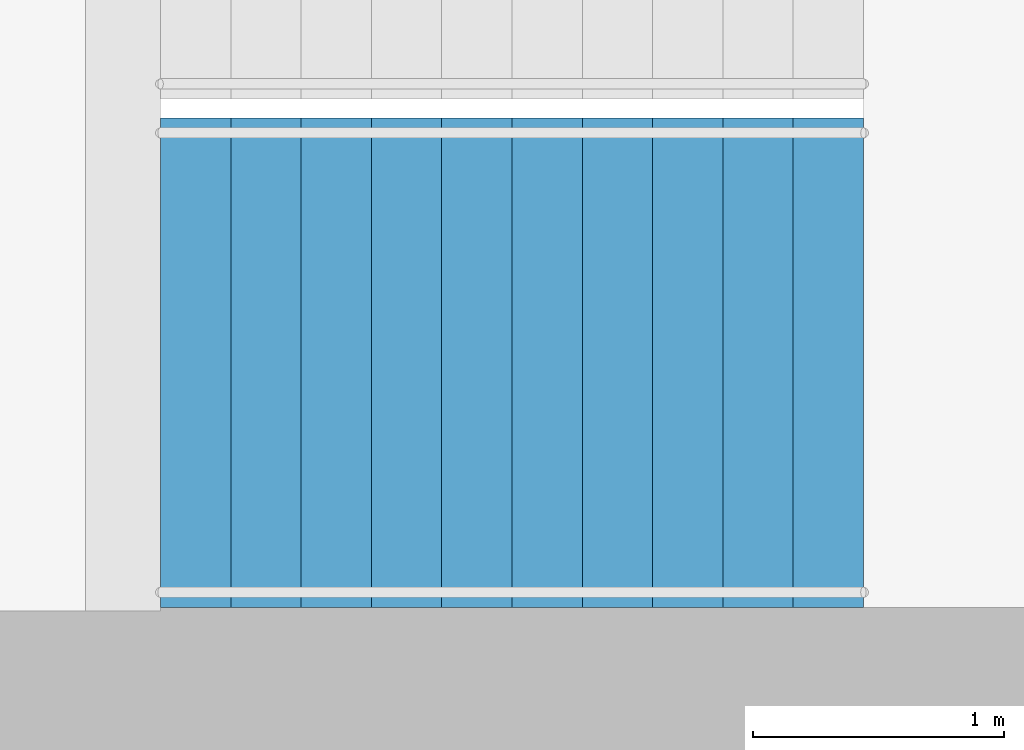
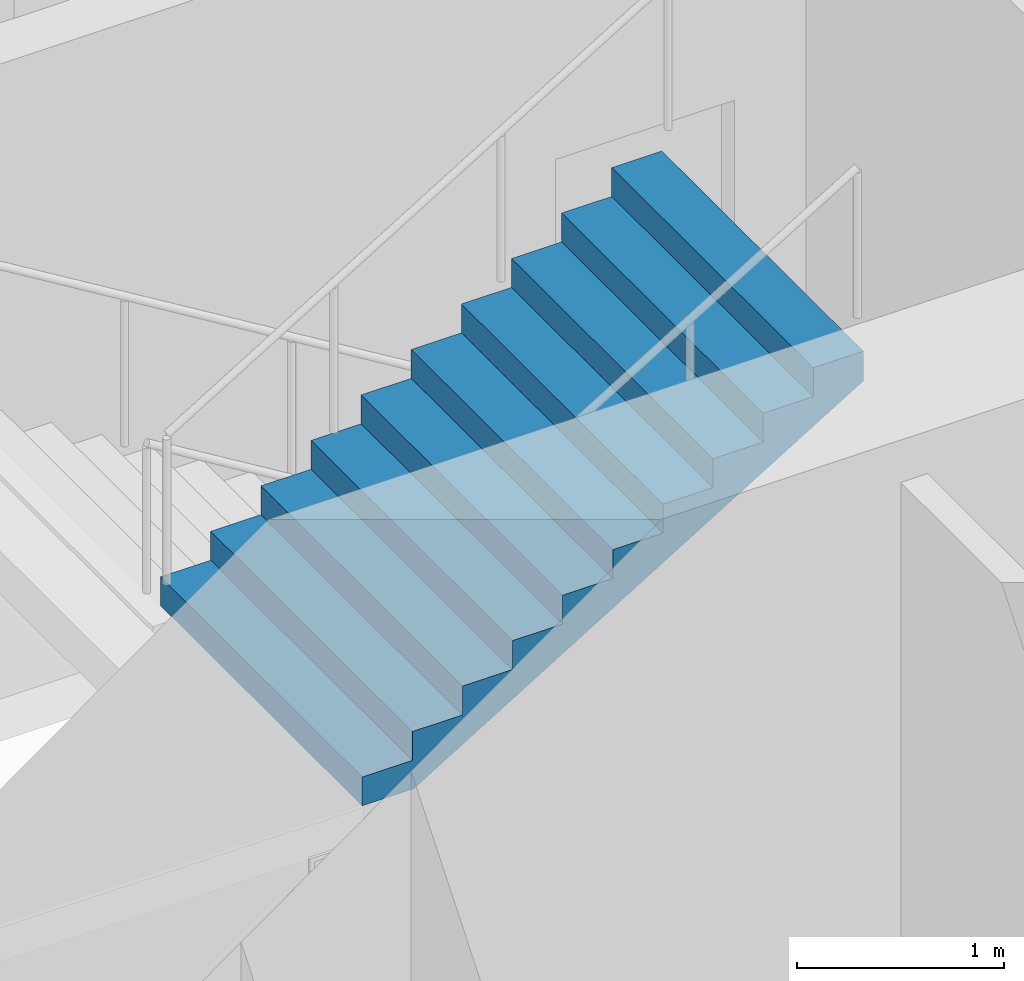
# One storey, part 20 of 22: 1 stair flight, 1 element without a shape of its own.
"""IFC4 building model written with IfcOpenShell, lengths in metres."""

from ifc_helpers import new_model, si_unit, direction, frame, origin, place, context, subcontext, project, spatial, triangles, material, type_object, element, aggregate, save


model = new_model("IFC4")

# Units and contexts
model_context = context("Model", 3, precision=1e-05, world=origin(), true_north=direction((0.0, 1.0)))
body_context = subcontext(model_context, "Body", "Model", "MODEL_VIEW")
ifc_project = project(units=[si_unit("LENGTHUNIT", "METRE"), si_unit("AREAUNIT", "SQUARE_METRE"), si_unit("VOLUMEUNIT", "CUBIC_METRE"), si_unit("PLANEANGLEUNIT", "RADIAN"), si_unit("MASSUNIT", "GRAM", prefix="KILO")], contexts=[model_context])

# Site, building, storey
site_placement = place(None, origin())
site = spatial("IfcSite", under=ifc_project, at=site_placement, CompositionType="ELEMENT")
building_placement = place(site_placement, origin())
building = spatial("IfcBuilding", under=site, at=building_placement, Name="Orbita Commons", CompositionType="ELEMENT")
storey_placement = place(building_placement, frame((0.0, 0.0, 121.89990234375)))
storey = spatial("IfcBuildingStorey", under=building, at=storey_placement, Name="L30", CompositionType="ELEMENT", Elevation=121.89990234375)

# Stair, stair flight
ifc_material_1 = material(Name="Precast concrete C40/50", Category="concrete")
stair_type = type_object("IfcStairType", Name="Exit stair S2 2 flights 11 risers 170", PredefinedType="HALF_TURN_STAIR", material=ifc_material_1)
stair_placement = place(storey_placement, origin())
stair = element("IfcStair", 1, at=stair_placement, inside=storey, type_object=stair_type, Name="Exit stair S2 L30", PredefinedType="HALF_TURN_STAIR")
ifc_material_2 = material(Name="Precast concrete C40/50", Category="concrete")
stair_flight_type = type_object("IfcStairFlightType", Name="Stair flight 11 risers 170 x 280", PredefinedType="STRAIGHT", material=ifc_material_2)
stair_flight_placement = place(storey_placement, frame((60.75, 27.25, 1.875), z_axis=(0.0, 0.0, 1.0), x_axis=(1.0, 0.0, 0.0)))
stair_flight = element("IfcStairFlight", 2, at=stair_flight_placement, type_object=stair_flight_type, Name="S2 flight 2", NumberOfRisers=11, NumberOfTreads=10, PredefinedType="STRAIGHT", RiserHeight=0.170454545, TreadLength=0.28, context=body_context, shape_type="Tessellation", body=[
    triangles([(0.0, 0.974976, 0.0), (0.0, 0.974976, 0.021307), (0.0, 0.81248, 0.021307), (0.0, 0.81248, 0.0), (0.0, 0.649984, 0.021307), (0.0, 0.649984, 0.0), (0.0, 0.487488, 0.021307), (0.0, 0.487488, 0.0), (0.0, 0.324992, 0.021307), (0.0, 0.324992, 0.0), (0.0, 0.162496, 0.021307), (0.0, 0.162496, 0.0), (0.0, 0.0, 0.021307), (0.0, 0.0, 0.0), (0.0, -0.162496, 0.021307), (0.0, -0.162496, 0.0), (0.0, -0.324992, 0.021307), (0.0, -0.324992, 0.0), (0.0, -0.487488, 0.021307), (0.0, -0.487488, 0.0), (0.0, -0.649984, 0.021307), (0.0, -0.649984, 0.0), (0.0, -0.81248, 0.021307), (0.0, -0.81248, 0.0), (0.0, -0.974976, 0.021307), (0.0, -0.974976, 0.0), (0.0, 0.974976, 0.042614), (0.0, 0.81248, 0.042614), (0.0, 0.649984, 0.042614), (0.0, 0.487488, 0.042614), (0.0, 0.324992, 0.042614), (0.0, 0.162496, 0.042614), (0.0, 0.0, 0.042614), (0.0, -0.162496, 0.042614), (0.0, -0.324992, 0.042614), (0.0, -0.487488, 0.042614), (0.0, -0.649984, 0.042614), (0.0, -0.81248, 0.042614), (0.0, -0.974976, 0.042614), (0.0, 0.974976, 0.06392), (0.0, 0.81248, 0.06392), (0.0, 0.649984, 0.06392), (0.0, 0.487488, 0.06392), (0.0, 0.324992, 0.06392), (0.0, 0.162496, 0.06392), (0.0, 0.0, 0.06392), (0.0, -0.162496, 0.06392), (0.0, -0.324992, 0.06392), (0.0, -0.487488, 0.06392), (0.0, -0.649984, 0.06392), (0.0, -0.81248, 0.06392), (0.0, -0.974976, 0.06392), (0.0, 0.974976, 0.085227), (0.0, 0.81248, 0.085227), (0.0, 0.649984, 0.085227), (0.0, 0.487488, 0.085227), (0.0, 0.324992, 0.085227), (0.0, 0.162496, 0.085227), (0.0, 0.0, 0.085227), (0.0, -0.162496, 0.085227), (0.0, -0.324992, 0.085227), (0.0, -0.487488, 0.085227), (0.0, -0.649984, 0.085227), (0.0, -0.81248, 0.085227), (0.0, -0.974976, 0.085227), (0.0, 0.974976, 0.106534), (0.0, 0.81248, 0.106534), (0.0, 0.649984, 0.106534), (0.0, 0.487488, 0.106534), (0.0, 0.324992, 0.106534), (0.0, 0.162496, 0.106534), (0.0, 0.0, 0.106534), (0.0, -0.162496, 0.106534), (0.0, -0.324992, 0.106534), (0.0, -0.487488, 0.106534), (0.0, -0.649984, 0.106534), (0.0, -0.81248, 0.106534), (0.0, -0.974976, 0.106534), (0.0, 0.974976, 0.127841), (0.0, 0.81248, 0.127841), (0.0, 0.649984, 0.127841), (0.0, 0.487488, 0.127841), (0.0, 0.324992, 0.127841), (0.0, 0.162496, 0.127841), (0.0, 0.0, 0.127841), (0.0, -0.162496, 0.127841), (0.0, -0.324992, 0.127841), (0.0, -0.487488, 0.127841), (0.0, -0.649984, 0.127841), (0.0, -0.81248, 0.127841), (0.0, -0.974976, 0.127841), (0.0, 0.974976, 0.149148), (0.0, 0.81248, 0.149148), (0.0, 0.649984, 0.149148), (0.0, 0.487488, 0.149148), (0.0, 0.324992, 0.149148), (0.0, 0.162496, 0.149148), (0.0, 0.0, 0.149148), (0.0, -0.162496, 0.149148), (0.0, -0.324992, 0.149148), (0.0, -0.487488, 0.149148), (0.0, -0.649984, 0.149148), (0.0, -0.81248, 0.149148), (0.0, -0.974976, 0.149148), (0.0, 0.974976, 0.170455), (0.0, 0.81248, 0.170455), (0.0, 0.649984, 0.170455), (0.0, 0.487488, 0.170455), (0.0, 0.324992, 0.170455), (0.0, 0.162496, 0.170455), (0.0, 0.0, 0.170455), (0.0, -0.162496, 0.170455), (0.0, -0.324992, 0.170455), (0.0, -0.487488, 0.170455), (0.0, -0.649984, 0.170455), (0.0, -0.81248, 0.170455), (0.0, -0.974976, 0.170455), (0.28, 0.974976, 0.170455), (0.28, 0.81248, 0.170455), (0.28, 0.649984, 0.170455), (0.28, 0.487488, 0.170455), (0.28, 0.324992, 0.170455), (0.28, 0.162496, 0.170455), (0.28, 0.0, 0.170455), (0.28, -0.162496, 0.170455), (0.28, -0.324992, 0.170455), (0.28, -0.487488, 0.170455), (0.28, -0.649984, 0.170455), (0.28, -0.81248, 0.170455), (0.28, -0.974976, 0.170455), (0.28, 0.974976, 0.340909), (0.28, 0.81248, 0.340909), (0.28, 0.649984, 0.340909), (0.28, 0.487488, 0.340909), (0.28, 0.324992, 0.340909), (0.28, 0.162496, 0.340909), (0.28, 0.0, 0.340909), (0.28, -0.162496, 0.340909), (0.28, -0.324992, 0.340909), (0.28, -0.487488, 0.340909), (0.28, -0.649984, 0.340909), (0.28, -0.81248, 0.340909), (0.28, -0.974976, 0.340909), (0.56, 0.974976, 0.340909), (0.56, 0.81248, 0.340909), (0.56, 0.649984, 0.340909), (0.56, 0.487488, 0.340909), (0.56, 0.324992, 0.340909), (0.56, 0.162496, 0.340909), (0.56, 0.0, 0.340909), (0.56, -0.162496, 0.340909), (0.56, -0.324992, 0.340909), (0.56, -0.487488, 0.340909), (0.56, -0.649984, 0.340909), (0.56, -0.81248, 0.340909), (0.56, -0.974976, 0.340909), (0.56, 0.974976, 0.511364), (0.56, 0.81248, 0.511364), (0.56, 0.649984, 0.511364), (0.56, 0.487488, 0.511364), (0.56, 0.324992, 0.511364), (0.56, 0.162496, 0.511364), (0.56, 0.0, 0.511364), (0.56, -0.162496, 0.511364), (0.56, -0.324992, 0.511364), (0.56, -0.487488, 0.511364), (0.56, -0.649984, 0.511364), (0.56, -0.81248, 0.511364), (0.56, -0.974976, 0.511364), (0.84, 0.974976, 0.511364), (0.84, 0.81248, 0.511364), (0.84, 0.649984, 0.511364), (0.84, 0.487488, 0.511364), (0.84, 0.324992, 0.511364), (0.84, 0.162496, 0.511364), (0.84, 0.0, 0.511364), (0.84, -0.162496, 0.511364), (0.84, -0.324992, 0.511364), (0.84, -0.487488, 0.511364), (0.84, -0.649984, 0.511364), (0.84, -0.81248, 0.511364), (0.84, -0.974976, 0.511364), (0.84, 0.974976, 0.681818), (0.84, 0.81248, 0.681818), (0.84, 0.649984, 0.681818), (0.84, 0.487488, 0.681818), (0.84, 0.324992, 0.681818), (0.84, 0.162496, 0.681818), (0.84, 0.0, 0.681818), (0.84, -0.162496, 0.681818), (0.84, -0.324992, 0.681818), (0.84, -0.487488, 0.681818), (0.84, -0.649984, 0.681818), (0.84, -0.81248, 0.681818), (0.84, -0.974976, 0.681818), (1.12, 0.974976, 0.681818), (1.12, 0.81248, 0.681818), (1.12, 0.649984, 0.681818), (1.12, 0.487488, 0.681818), (1.12, 0.324992, 0.681818), (1.12, 0.162496, 0.681818), (1.12, 0.0, 0.681818), (1.12, -0.162496, 0.681818), (1.12, -0.324992, 0.681818), (1.12, -0.487488, 0.681818), (1.12, -0.649984, 0.681818), (1.12, -0.81248, 0.681818), (1.12, -0.974976, 0.681818), (1.12, 0.974976, 0.852273), (1.12, 0.81248, 0.852273), (1.12, 0.649984, 0.852273), (1.12, 0.487488, 0.852273), (1.12, 0.324992, 0.852273), (1.12, 0.162496, 0.852273), (1.12, 0.0, 0.852273), (1.12, -0.162496, 0.852273), (1.12, -0.324992, 0.852273), (1.12, -0.487488, 0.852273), (1.12, -0.649984, 0.852273), (1.12, -0.81248, 0.852273), (1.12, -0.974976, 0.852273), (1.4, 0.974976, 0.852273), (1.4, 0.81248, 0.852273), (1.4, 0.649984, 0.852273), (1.4, 0.487488, 0.852273), (1.4, 0.324992, 0.852273), (1.4, 0.162496, 0.852273), (1.4, 0.0, 0.852273), (1.4, -0.162496, 0.852273), (1.4, -0.324992, 0.852273), (1.4, -0.487488, 0.852273), (1.4, -0.649984, 0.852273), (1.4, -0.81248, 0.852273), (1.4, -0.974976, 0.852273), (1.4, 0.974976, 1.022727), (1.4, 0.81248, 1.022727), (1.4, 0.649984, 1.022727), (1.4, 0.487488, 1.022727), (1.4, 0.324992, 1.022727), (1.4, 0.162496, 1.022727), (1.4, 0.0, 1.022727), (1.4, -0.162496, 1.022727), (1.4, -0.324992, 1.022727), (1.4, -0.487488, 1.022727), (1.4, -0.649984, 1.022727), (1.4, -0.81248, 1.022727), (1.4, -0.974976, 1.022727), (1.68, 0.974976, 1.022727), (1.68, 0.81248, 1.022727), (1.68, 0.649984, 1.022727), (1.68, 0.487488, 1.022727), (1.68, 0.324992, 1.022727), (1.68, 0.162496, 1.022727), (1.68, 0.0, 1.022727), (1.68, -0.162496, 1.022727), (1.68, -0.324992, 1.022727), (1.68, -0.487488, 1.022727), (1.68, -0.649984, 1.022727), (1.68, -0.81248, 1.022727), (1.68, -0.974976, 1.022727), (1.68, 0.974976, 1.193182), (1.68, 0.81248, 1.193182), (1.68, 0.649984, 1.193182), (1.68, 0.487488, 1.193182), (1.68, 0.324992, 1.193182), (1.68, 0.162496, 1.193182), (1.68, 0.0, 1.193182), (1.68, -0.162496, 1.193182), (1.68, -0.324992, 1.193182), (1.68, -0.487488, 1.193182), (1.68, -0.649984, 1.193182), (1.68, -0.81248, 1.193182), (1.68, -0.974976, 1.193182), (1.96, 0.974976, 1.193182), (1.96, 0.81248, 1.193182), (1.96, 0.649984, 1.193182), (1.96, 0.487488, 1.193182), (1.96, 0.324992, 1.193182), (1.96, 0.162496, 1.193182), (1.96, 0.0, 1.193182), (1.96, -0.162496, 1.193182), (1.96, -0.324992, 1.193182), (1.96, -0.487488, 1.193182), (1.96, -0.649984, 1.193182), (1.96, -0.81248, 1.193182), (1.96, -0.974976, 1.193182), (1.96, 0.974976, 1.363636), (1.96, 0.81248, 1.363636), (1.96, 0.649984, 1.363636), (1.96, 0.487488, 1.363636), (1.96, 0.324992, 1.363636), (1.96, 0.162496, 1.363636), (1.96, 0.0, 1.363636), (1.96, -0.162496, 1.363636), (1.96, -0.324992, 1.363636), (1.96, -0.487488, 1.363636), (1.96, -0.649984, 1.363636), (1.96, -0.81248, 1.363636), (1.96, -0.974976, 1.363636), (2.24, 0.974976, 1.363636), (2.24, 0.81248, 1.363636), (2.24, 0.649984, 1.363636), (2.24, 0.487488, 1.363636), (2.24, 0.324992, 1.363636), (2.24, 0.162496, 1.363636), (2.24, 0.0, 1.363636), (2.24, -0.162496, 1.363636), (2.24, -0.324992, 1.363636), (2.24, -0.487488, 1.363636), (2.24, -0.649984, 1.363636), (2.24, -0.81248, 1.363636), (2.24, -0.974976, 1.363636), (2.24, 0.974976, 1.534091), (2.24, 0.81248, 1.534091), (2.24, 0.649984, 1.534091), (2.24, 0.487488, 1.534091), (2.24, 0.324992, 1.534091), (2.24, 0.162496, 1.534091), (2.24, 0.0, 1.534091), (2.24, -0.162496, 1.534091), (2.24, -0.324992, 1.534091), (2.24, -0.487488, 1.534091), (2.24, -0.649984, 1.534091), (2.24, -0.81248, 1.534091), (2.24, -0.974976, 1.534091), (2.52, 0.974976, 1.534091), (2.52, 0.81248, 1.534091), (2.52, 0.649984, 1.534091), (2.52, 0.487488, 1.534091), (2.52, 0.324992, 1.534091), (2.52, 0.162496, 1.534091), (2.52, 0.0, 1.534091), (2.52, -0.162496, 1.534091), (2.52, -0.324992, 1.534091), (2.52, -0.487488, 1.534091), (2.52, -0.649984, 1.534091), (2.52, -0.81248, 1.534091), (2.52, -0.974976, 1.534091), (2.52, 0.974976, 1.704545), (2.52, 0.81248, 1.704545), (2.52, 0.649984, 1.704545), (2.52, 0.487488, 1.704545), (2.52, 0.324992, 1.704545), (2.52, 0.162496, 1.704545), (2.52, 0.0, 1.704545), (2.52, -0.162496, 1.704545), (2.52, -0.324992, 1.704545), (2.52, -0.487488, 1.704545), (2.52, -0.649984, 1.704545), (2.52, -0.81248, 1.704545), (2.52, -0.974976, 1.704545), (2.8, 0.974976, 1.704545), (2.8, 0.81248, 1.704545), (2.8, 0.649984, 1.704545), (2.8, 0.487488, 1.704545), (2.8, 0.324992, 1.704545), (2.8, 0.162496, 1.704545), (2.8, 0.0, 1.704545), (2.8, -0.162496, 1.704545), (2.8, -0.324992, 1.704545), (2.8, -0.487488, 1.704545), (2.8, -0.649984, 1.704545), (2.8, -0.81248, 1.704545), (2.8, -0.974976, 1.704545), (2.8, 0.974976, 1.682609), (2.8, 0.81248, 1.682609), (2.8, 0.649984, 1.682609), (2.8, 0.487488, 1.682609), (2.8, 0.324992, 1.682609), (2.8, 0.162496, 1.682609), (2.8, 0.0, 1.682609), (2.8, -0.162496, 1.682609), (2.8, -0.324992, 1.682609), (2.8, -0.487488, 1.682609), (2.8, -0.649984, 1.682609), (2.8, -0.81248, 1.682609), (2.8, -0.974976, 1.682609), (2.8, 0.974976, 1.660672), (2.8, 0.81248, 1.660672), (2.8, 0.649984, 1.660672), (2.8, 0.487488, 1.660672), (2.8, 0.324992, 1.660672), (2.8, 0.162496, 1.660672), (2.8, 0.0, 1.660672), (2.8, -0.162496, 1.660672), (2.8, -0.324992, 1.660672), (2.8, -0.487488, 1.660672), (2.8, -0.649984, 1.660672), (2.8, -0.81248, 1.660672), (2.8, -0.974976, 1.660672), (2.8, 0.974976, 1.638735), (2.8, 0.81248, 1.638735), (2.8, 0.649984, 1.638735), (2.8, 0.487488, 1.638735), (2.8, 0.324992, 1.638735), (2.8, 0.162496, 1.638735), (2.8, 0.0, 1.638735), (2.8, -0.162496, 1.638735), (2.8, -0.324992, 1.638735), (2.8, -0.487488, 1.638735), (2.8, -0.649984, 1.638735), (2.8, -0.81248, 1.638735), (2.8, -0.974976, 1.638735), (2.8, 0.974976, 1.616798), (2.8, 0.81248, 1.616798), (2.8, 0.649984, 1.616798), (2.8, 0.487488, 1.616798), (2.8, 0.324992, 1.616798), (2.8, 0.162496, 1.616798), (2.8, 0.0, 1.616798), (2.8, -0.162496, 1.616798), (2.8, -0.324992, 1.616798), (2.8, -0.487488, 1.616798), (2.8, -0.649984, 1.616798), (2.8, -0.81248, 1.616798), (2.8, -0.974976, 1.616798), (2.8, 0.974976, 1.594861), (2.8, 0.81248, 1.594861), (2.8, 0.649984, 1.594861), (2.8, 0.487488, 1.594861), (2.8, 0.324992, 1.594861), (2.8, 0.162496, 1.594861), (2.8, 0.0, 1.594861), (2.8, -0.162496, 1.594861), (2.8, -0.324992, 1.594861), (2.8, -0.487488, 1.594861), (2.8, -0.649984, 1.594861), (2.8, -0.81248, 1.594861), (2.8, -0.974976, 1.594861), (2.8, 0.974976, 1.572925), (2.8, 0.81248, 1.572925), (2.8, 0.649984, 1.572925), (2.8, 0.487488, 1.572925), (2.8, 0.324992, 1.572925), (2.8, 0.162496, 1.572925), (2.8, 0.0, 1.572925), (2.8, -0.162496, 1.572925), (2.8, -0.324992, 1.572925), (2.8, -0.487488, 1.572925), (2.8, -0.649984, 1.572925), (2.8, -0.81248, 1.572925), (2.8, -0.974976, 1.572925), (2.8, 0.974976, 1.550988), (2.8, 0.81248, 1.550988), (2.8, 0.649984, 1.550988), (2.8, 0.487488, 1.550988), (2.8, 0.324992, 1.550988), (2.8, 0.162496, 1.550988), (2.8, 0.0, 1.550988), (2.8, -0.162496, 1.550988), (2.8, -0.324992, 1.550988), (2.8, -0.487488, 1.550988), (2.8, -0.649984, 1.550988), (2.8, -0.81248, 1.550988), (2.8, -0.974976, 1.550988), (2.8, 0.974976, 1.529051), (2.8, 0.81248, 1.529051), (2.8, 0.649984, 1.529051), (2.8, 0.487488, 1.529051), (2.8, 0.324992, 1.529051), (2.8, 0.162496, 1.529051), (2.8, 0.0, 1.529051), (2.8, -0.162496, 1.529051), (2.8, -0.324992, 1.529051), (2.8, -0.487488, 1.529051), (2.8, -0.649984, 1.529051), (2.8, -0.81248, 1.529051), (2.8, -0.974976, 1.529051), (0.288279, 0.974976, 0.0), (0.288279, 0.81248, 0.0), (0.288279, 0.649984, 0.0), (0.288279, 0.487488, 0.0), (0.288279, 0.324992, 0.0), (0.288279, 0.162496, 0.0), (0.288279, 0.0, 0.0), (0.288279, -0.162496, 0.0), (0.288279, -0.324992, 0.0), (0.288279, -0.487488, 0.0), (0.288279, -0.649984, 0.0), (0.288279, -0.81248, 0.0), (0.288279, -0.974976, 0.0)], [[3, 2, 1], [4, 3, 1], [5, 3, 4], [6, 5, 4], [7, 5, 6], [8, 7, 6], [9, 7, 8], [10, 9, 8], [11, 9, 10], [12, 11, 10], [13, 11, 12], [14, 13, 12], [15, 13, 14], [16, 15, 14], [17, 15, 16], [18, 17, 16], [19, 17, 18], [20, 19, 18], [21, 19, 20], [22, 21, 20], [23, 21, 22], [24, 23, 22], [25, 23, 24], [26, 25, 24], [28, 27, 2], [3, 28, 2], [29, 28, 3], [5, 29, 3], [30, 29, 5], [7, 30, 5], [31, 30, 7], [9, 31, 7], [32, 31, 9], [11, 32, 9], [33, 32, 11], [13, 33, 11], [34, 33, 13], [15, 34, 13], [35, 34, 15], [17, 35, 15], [36, 35, 17], [19, 36, 17], [37, 36, 19], [21, 37, 19], [38, 37, 21], [23, 38, 21], [39, 38, 23], [25, 39, 23], [41, 40, 27], [28, 41, 27], [42, 41, 28], [29, 42, 28], [43, 42, 29], [30, 43, 29], [44, 43, 30], [31, 44, 30], [45, 44, 31], [32, 45, 31], [46, 45, 32], [33, 46, 32], [47, 46, 33], [34, 47, 33], [48, 47, 34], [35, 48, 34], [49, 48, 35], [36, 49, 35], [50, 49, 36], [37, 50, 36], [51, 50, 37], [38, 51, 37], [52, 51, 38], [39, 52, 38], [54, 53, 40], [41, 54, 40], [55, 54, 41], [42, 55, 41], [56, 55, 42], [43, 56, 42], [57, 56, 43], [44, 57, 43], [58, 57, 44], [45, 58, 44], [59, 58, 45], [46, 59, 45], [60, 59, 46], [47, 60, 46], [61, 60, 47], [48, 61, 47], [62, 61, 48], [49, 62, 48], [63, 62, 49], [50, 63, 49], [64, 63, 50], [51, 64, 50], [65, 64, 51], [52, 65, 51], [67, 66, 53], [54, 67, 53], [68, 67, 54], [55, 68, 54], [69, 68, 55], [56, 69, 55], [70, 69, 56], [57, 70, 56], [71, 70, 57], [58, 71, 57], [72, 71, 58], [59, 72, 58], [73, 72, 59], [60, 73, 59], [74, 73, 60], [61, 74, 60], [75, 74, 61], [62, 75, 61], [76, 75, 62], [63, 76, 62], [77, 76, 63], [64, 77, 63], [78, 77, 64], [65, 78, 64], [80, 79, 66], [67, 80, 66], [81, 80, 67], [68, 81, 67], [82, 81, 68], [69, 82, 68], [83, 82, 69], [70, 83, 69], [84, 83, 70], [71, 84, 70], [85, 84, 71], [72, 85, 71], [86, 85, 72], [73, 86, 72], [87, 86, 73], [74, 87, 73], [88, 87, 74], [75, 88, 74], [89, 88, 75], [76, 89, 75], [90, 89, 76], [77, 90, 76], [91, 90, 77], [78, 91, 77], [93, 92, 79], [80, 93, 79], [94, 93, 80], [81, 94, 80], [95, 94, 81], [82, 95, 81], [96, 95, 82], [83, 96, 82], [97, 96, 83], [84, 97, 83], [98, 97, 84], [85, 98, 84], [99, 98, 85], [86, 99, 85], [100, 99, 86], [87, 100, 86], [101, 100, 87], [88, 101, 87], [102, 101, 88], [89, 102, 88], [103, 102, 89], [90, 103, 89], [104, 103, 90], [91, 104, 90], [106, 105, 92], [93, 106, 92], [107, 106, 93], [94, 107, 93], [108, 107, 94], [95, 108, 94], [109, 108, 95], [96, 109, 95], [110, 109, 96], [97, 110, 96], [111, 110, 97], [98, 111, 97], [112, 111, 98], [99, 112, 98], [113, 112, 99], [100, 113, 99], [114, 113, 100], [101, 114, 100], [115, 114, 101], [102, 115, 101], [116, 115, 102], [103, 116, 102], [117, 116, 103], [104, 117, 103], [119, 118, 105], [106, 119, 105], [120, 119, 106], [107, 120, 106], [121, 120, 107], [108, 121, 107], [122, 121, 108], [109, 122, 108], [123, 122, 109], [110, 123, 109], [124, 123, 110], [111, 124, 110], [125, 124, 111], [112, 125, 111], [126, 125, 112], [113, 126, 112], [127, 126, 113], [114, 127, 113], [128, 127, 114], [115, 128, 114], [129, 128, 115], [116, 129, 115], [130, 129, 116], [117, 130, 116], [132, 131, 118], [119, 132, 118], [133, 132, 119], [120, 133, 119], [134, 133, 120], [121, 134, 120], [135, 134, 121], [122, 135, 121], [136, 135, 122], [123, 136, 122], [137, 136, 123], [124, 137, 123], [138, 137, 124], [125, 138, 124], [139, 138, 125], [126, 139, 125], [140, 139, 126], [127, 140, 126], [141, 140, 127], [128, 141, 127], [142, 141, 128], [129, 142, 128], [143, 142, 129], [130, 143, 129], [145, 144, 131], [132, 145, 131], [146, 145, 132], [133, 146, 132], [147, 146, 133], [134, 147, 133], [148, 147, 134], [135, 148, 134], [149, 148, 135], [136, 149, 135], [150, 149, 136], [137, 150, 136], [151, 150, 137], [138, 151, 137], [152, 151, 138], [139, 152, 138], [153, 152, 139], [140, 153, 139], [154, 153, 140], [141, 154, 140], [155, 154, 141], [142, 155, 141], [156, 155, 142], [143, 156, 142], [158, 157, 144], [145, 158, 144], [159, 158, 145], [146, 159, 145], [160, 159, 146], [147, 160, 146], [161, 160, 147], [148, 161, 147], [162, 161, 148], [149, 162, 148], [163, 162, 149], [150, 163, 149], [164, 163, 150], [151, 164, 150], [165, 164, 151], [152, 165, 151], [166, 165, 152], [153, 166, 152], [167, 166, 153], [154, 167, 153], [168, 167, 154], [155, 168, 154], [169, 168, 155], [156, 169, 155], [171, 170, 157], [158, 171, 157], [172, 171, 158], [159, 172, 158], [173, 172, 159], [160, 173, 159], [174, 173, 160], [161, 174, 160], [175, 174, 161], [162, 175, 161], [176, 175, 162], [163, 176, 162], [177, 176, 163], [164, 177, 163], [178, 177, 164], [165, 178, 164], [179, 178, 165], [166, 179, 165], [180, 179, 166], [167, 180, 166], [181, 180, 167], [168, 181, 167], [182, 181, 168], [169, 182, 168], [184, 183, 170], [171, 184, 170], [185, 184, 171], [172, 185, 171], [186, 185, 172], [173, 186, 172], [187, 186, 173], [174, 187, 173], [188, 187, 174], [175, 188, 174], [189, 188, 175], [176, 189, 175], [190, 189, 176], [177, 190, 176], [191, 190, 177], [178, 191, 177], [192, 191, 178], [179, 192, 178], [193, 192, 179], [180, 193, 179], [194, 193, 180], [181, 194, 180], [195, 194, 181], [182, 195, 181], [197, 196, 183], [184, 197, 183], [198, 197, 184], [185, 198, 184], [199, 198, 185], [186, 199, 185], [200, 199, 186], [187, 200, 186], [201, 200, 187], [188, 201, 187], [202, 201, 188], [189, 202, 188], [203, 202, 189], [190, 203, 189], [204, 203, 190], [191, 204, 190], [205, 204, 191], [192, 205, 191], [206, 205, 192], [193, 206, 192], [207, 206, 193], [194, 207, 193], [208, 207, 194], [195, 208, 194], [210, 209, 196], [197, 210, 196], [211, 210, 197], [198, 211, 197], [212, 211, 198], [199, 212, 198], [213, 212, 199], [200, 213, 199], [214, 213, 200], [201, 214, 200], [215, 214, 201], [202, 215, 201], [216, 215, 202], [203, 216, 202], [217, 216, 203], [204, 217, 203], [218, 217, 204], [205, 218, 204], [219, 218, 205], [206, 219, 205], [220, 219, 206], [207, 220, 206], [221, 220, 207], [208, 221, 207], [223, 222, 209], [210, 223, 209], [224, 223, 210], [211, 224, 210], [225, 224, 211], [212, 225, 211], [226, 225, 212], [213, 226, 212], [227, 226, 213], [214, 227, 213], [228, 227, 214], [215, 228, 214], [229, 228, 215], [216, 229, 215], [230, 229, 216], [217, 230, 216], [231, 230, 217], [218, 231, 217], [232, 231, 218], [219, 232, 218], [233, 232, 219], [220, 233, 219], [234, 233, 220], [221, 234, 220], [236, 235, 222], [223, 236, 222], [237, 236, 223], [224, 237, 223], [238, 237, 224], [225, 238, 224], [239, 238, 225], [226, 239, 225], [240, 239, 226], [227, 240, 226], [241, 240, 227], [228, 241, 227], [242, 241, 228], [229, 242, 228], [243, 242, 229], [230, 243, 229], [244, 243, 230], [231, 244, 230], [245, 244, 231], [232, 245, 231], [246, 245, 232], [233, 246, 232], [247, 246, 233], [234, 247, 233], [249, 248, 235], [236, 249, 235], [250, 249, 236], [237, 250, 236], [251, 250, 237], [238, 251, 237], [252, 251, 238], [239, 252, 238], [253, 252, 239], [240, 253, 239], [254, 253, 240], [241, 254, 240], [255, 254, 241], [242, 255, 241], [256, 255, 242], [243, 256, 242], [257, 256, 243], [244, 257, 243], [258, 257, 244], [245, 258, 244], [259, 258, 245], [246, 259, 245], [260, 259, 246], [247, 260, 246], [262, 261, 248], [249, 262, 248], [263, 262, 249], [250, 263, 249], [264, 263, 250], [251, 264, 250], [265, 264, 251], [252, 265, 251], [266, 265, 252], [253, 266, 252], [267, 266, 253], [254, 267, 253], [268, 267, 254], [255, 268, 254], [269, 268, 255], [256, 269, 255], [270, 269, 256], [257, 270, 256], [271, 270, 257], [258, 271, 257], [272, 271, 258], [259, 272, 258], [273, 272, 259], [260, 273, 259], [275, 274, 261], [262, 275, 261], [276, 275, 262], [263, 276, 262], [277, 276, 263], [264, 277, 263], [278, 277, 264], [265, 278, 264], [279, 278, 265], [266, 279, 265], [280, 279, 266], [267, 280, 266], [281, 280, 267], [268, 281, 267], [282, 281, 268], [269, 282, 268], [283, 282, 269], [270, 283, 269], [284, 283, 270], [271, 284, 270], [285, 284, 271], [272, 285, 271], [286, 285, 272], [273, 286, 272], [288, 287, 274], [275, 288, 274], [289, 288, 275], [276, 289, 275], [290, 289, 276], [277, 290, 276], [291, 290, 277], [278, 291, 277], [292, 291, 278], [279, 292, 278], [293, 292, 279], [280, 293, 279], [294, 293, 280], [281, 294, 280], [295, 294, 281], [282, 295, 281], [296, 295, 282], [283, 296, 282], [297, 296, 283], [284, 297, 283], [298, 297, 284], [285, 298, 284], [299, 298, 285], [286, 299, 285], [301, 300, 287], [288, 301, 287], [302, 301, 288], [289, 302, 288], [303, 302, 289], [290, 303, 289], [304, 303, 290], [291, 304, 290], [305, 304, 291], [292, 305, 291], [306, 305, 292], [293, 306, 292], [307, 306, 293], [294, 307, 293], [308, 307, 294], [295, 308, 294], [309, 308, 295], [296, 309, 295], [310, 309, 296], [297, 310, 296], [311, 310, 297], [298, 311, 297], [312, 311, 298], [299, 312, 298], [314, 313, 300], [301, 314, 300], [315, 314, 301], [302, 315, 301], [316, 315, 302], [303, 316, 302], [317, 316, 303], [304, 317, 303], [318, 317, 304], [305, 318, 304], [319, 318, 305], [306, 319, 305], [320, 319, 306], [307, 320, 306], [321, 320, 307], [308, 321, 307], [322, 321, 308], [309, 322, 308], [323, 322, 309], [310, 323, 309], [324, 323, 310], [311, 324, 310], [325, 324, 311], [312, 325, 311], [327, 326, 313], [314, 327, 313], [328, 327, 314], [315, 328, 314], [329, 328, 315], [316, 329, 315], [330, 329, 316], [317, 330, 316], [331, 330, 317], [318, 331, 317], [332, 331, 318], [319, 332, 318], [333, 332, 319], [320, 333, 319], [334, 333, 320], [321, 334, 320], [335, 334, 321], [322, 335, 321], [336, 335, 322], [323, 336, 322], [337, 336, 323], [324, 337, 323], [338, 337, 324], [325, 338, 324], [340, 339, 326], [327, 340, 326], [341, 340, 327], [328, 341, 327], [342, 341, 328], [329, 342, 328], [343, 342, 329], [330, 343, 329], [344, 343, 330], [331, 344, 330], [345, 344, 331], [332, 345, 331], [346, 345, 332], [333, 346, 332], [347, 346, 333], [334, 347, 333], [348, 347, 334], [335, 348, 334], [349, 348, 335], [336, 349, 335], [350, 349, 336], [337, 350, 336], [351, 350, 337], [338, 351, 337], [353, 352, 339], [340, 353, 339], [354, 353, 340], [341, 354, 340], [355, 354, 341], [342, 355, 341], [356, 355, 342], [343, 356, 342], [357, 356, 343], [344, 357, 343], [358, 357, 344], [345, 358, 344], [359, 358, 345], [346, 359, 345], [360, 359, 346], [347, 360, 346], [361, 360, 347], [348, 361, 347], [362, 361, 348], [349, 362, 348], [363, 362, 349], [350, 363, 349], [364, 363, 350], [351, 364, 350], [366, 365, 352], [353, 366, 352], [367, 366, 353], [354, 367, 353], [368, 367, 354], [355, 368, 354], [369, 368, 355], [356, 369, 355], [370, 369, 356], [357, 370, 356], [371, 370, 357], [358, 371, 357], [372, 371, 358], [359, 372, 358], [373, 372, 359], [360, 373, 359], [374, 373, 360], [361, 374, 360], [375, 374, 361], [362, 375, 361], [376, 375, 362], [363, 376, 362], [377, 376, 363], [364, 377, 363], [379, 378, 365], [366, 379, 365], [380, 379, 366], [367, 380, 366], [381, 380, 367], [368, 381, 367], [382, 381, 368], [369, 382, 368], [383, 382, 369], [370, 383, 369], [384, 383, 370], [371, 384, 370], [385, 384, 371], [372, 385, 371], [386, 385, 372], [373, 386, 372], [387, 386, 373], [374, 387, 373], [388, 387, 374], [375, 388, 374], [389, 388, 375], [376, 389, 375], [390, 389, 376], [377, 390, 376], [392, 391, 378], [379, 392, 378], [393, 392, 379], [380, 393, 379], [394, 393, 380], [381, 394, 380], [395, 394, 381], [382, 395, 381], [396, 395, 382], [383, 396, 382], [397, 396, 383], [384, 397, 383], [398, 397, 384], [385, 398, 384], [399, 398, 385], [386, 399, 385], [400, 399, 386], [387, 400, 386], [401, 400, 387], [388, 401, 387], [402, 401, 388], [389, 402, 388], [403, 402, 389], [390, 403, 389], [405, 404, 391], [392, 405, 391], [406, 405, 392], [393, 406, 392], [407, 406, 393], [394, 407, 393], [408, 407, 394], [395, 408, 394], [409, 408, 395], [396, 409, 395], [410, 409, 396], [397, 410, 396], [411, 410, 397], [398, 411, 397], [412, 411, 398], [399, 412, 398], [413, 412, 399], [400, 413, 399], [414, 413, 400], [401, 414, 400], [415, 414, 401], [402, 415, 401], [416, 415, 402], [403, 416, 402], [418, 417, 404], [405, 418, 404], [419, 418, 405], [406, 419, 405], [420, 419, 406], [407, 420, 406], [421, 420, 407], [408, 421, 407], [422, 421, 408], [409, 422, 408], [423, 422, 409], [410, 423, 409], [424, 423, 410], [411, 424, 410], [425, 424, 411], [412, 425, 411], [426, 425, 412], [413, 426, 412], [427, 426, 413], [414, 427, 413], [428, 427, 414], [415, 428, 414], [429, 428, 415], [416, 429, 415], [431, 430, 417], [418, 431, 417], [432, 431, 418], [419, 432, 418], [433, 432, 419], [420, 433, 419], [434, 433, 420], [421, 434, 420], [435, 434, 421], [422, 435, 421], [436, 435, 422], [423, 436, 422], [437, 436, 423], [424, 437, 423], [438, 437, 424], [425, 438, 424], [439, 438, 425], [426, 439, 425], [440, 439, 426], [427, 440, 426], [441, 440, 427], [428, 441, 427], [442, 441, 428], [429, 442, 428], [444, 443, 430], [431, 444, 430], [445, 444, 431], [432, 445, 431], [446, 445, 432], [433, 446, 432], [447, 446, 433], [434, 447, 433], [448, 447, 434], [435, 448, 434], [449, 448, 435], [436, 449, 435], [450, 449, 436], [437, 450, 436], [451, 450, 437], [438, 451, 437], [452, 451, 438], [439, 452, 438], [453, 452, 439], [440, 453, 439], [454, 453, 440], [441, 454, 440], [455, 454, 441], [442, 455, 441], [457, 456, 443], [444, 457, 443], [458, 457, 444], [445, 458, 444], [459, 458, 445], [446, 459, 445], [460, 459, 446], [447, 460, 446], [461, 460, 447], [448, 461, 447], [462, 461, 448], [449, 462, 448], [463, 462, 449], [450, 463, 449], [464, 463, 450], [451, 464, 450], [465, 464, 451], [452, 465, 451], [466, 465, 452], [453, 466, 452], [467, 466, 453], [454, 467, 453], [468, 467, 454], [455, 468, 454], [470, 469, 456], [457, 470, 456], [471, 470, 457], [458, 471, 457], [472, 471, 458], [459, 472, 458], [473, 472, 459], [460, 473, 459], [474, 473, 460], [461, 474, 460], [475, 474, 461], [462, 475, 461], [476, 475, 462], [463, 476, 462], [477, 476, 463], [464, 477, 463], [478, 477, 464], [465, 478, 464], [479, 478, 465], [466, 479, 465], [480, 479, 466], [467, 480, 466], [481, 480, 467], [468, 481, 467], [4, 1, 469], [470, 4, 469], [6, 4, 470], [471, 6, 470], [8, 6, 471], [472, 8, 471], [10, 8, 472], [473, 10, 472], [12, 10, 473], [474, 12, 473], [14, 12, 474], [475, 14, 474], [16, 14, 475], [476, 16, 475], [18, 16, 476], [477, 18, 476], [20, 18, 477], [478, 20, 477], [22, 20, 478], [479, 22, 478], [24, 22, 479], [480, 24, 479], [26, 24, 480], [481, 26, 480], [456, 469, 1], [26, 481, 468], [443, 456, 1], [26, 468, 455], [430, 443, 1], [26, 455, 442], [417, 430, 1], [26, 442, 429], [404, 417, 1], [26, 429, 416], [391, 404, 1], [26, 416, 403], [378, 391, 1], [26, 403, 390], [365, 378, 1], [26, 390, 377], [339, 352, 365], [377, 364, 351], [326, 339, 365], [377, 351, 338], [300, 313, 326], [338, 325, 312], [300, 326, 365], [377, 338, 312], [274, 287, 300], [312, 299, 286], [274, 300, 365], [377, 312, 286], [248, 261, 274], [286, 273, 260], [248, 274, 365], [377, 286, 260], [222, 235, 248], [260, 247, 234], [222, 248, 365], [377, 260, 234], [196, 209, 222], [234, 221, 208], [196, 222, 365], [377, 234, 208], [170, 183, 196], [208, 195, 182], [170, 196, 365], [377, 208, 182], [144, 157, 170], [182, 169, 156], [144, 170, 365], [377, 182, 156], [118, 131, 144], [156, 143, 130], [118, 144, 365], [377, 156, 130], [118, 365, 1], [26, 377, 130], [92, 105, 118], [130, 117, 104], [79, 92, 118], [130, 104, 91], [66, 79, 118], [130, 91, 78], [53, 66, 118], [130, 78, 65], [40, 53, 118], [130, 65, 52], [27, 40, 118], [130, 52, 39], [2, 27, 118], [130, 39, 25], [1, 2, 118], [130, 25, 26]], closed=True),
])
aggregate(stair, [stair_flight])

save(model, "model.ifc")
